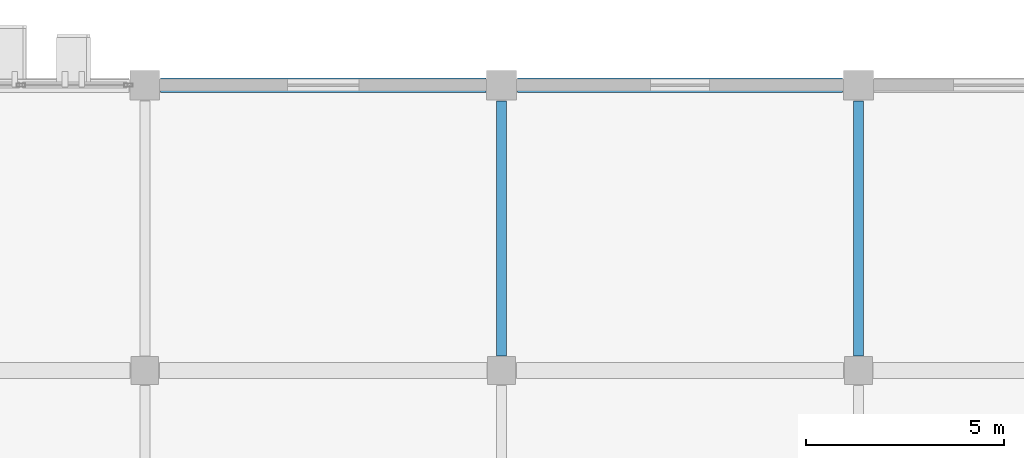
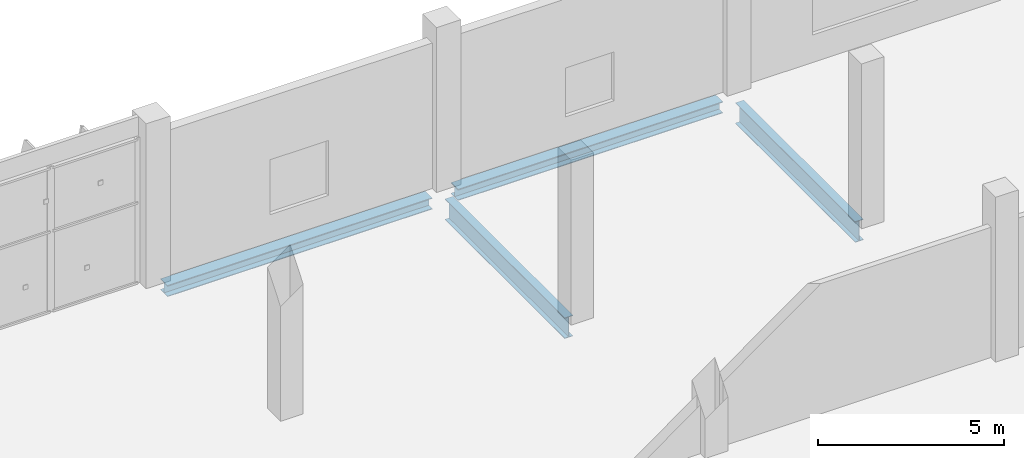
# One storey, part 60 of 189: 4 beams.
"""IFC4 building model written with IfcOpenShell, lengths in metres."""

import ifcopenshell
import ifcopenshell.guid

model = None  # the IFC model being written
_history = None  # IfcOwnerHistory: only IFC2X3 demands one
_inside = {}  # id of a spatial element -> (the spatial element, [elements in it])
_under = {}  # id of a project, library or spatial element -> (it, [spatial elements below it])
_declared = {}  # id of a project -> (the project, [libraries it declares])
_typed = {}  # id of a type object -> (the type object, [elements of that type])
_made_of = {}  # id of a material, layer set ... -> (it, [elements and type objects made of it])


def new_model(schema):
    """Start an empty IFC model of exactly this schema.

    Asked for "IFC4X3", IfcOpenShell would pick the latest addendum, in which some entities
    have other attributes; the version numbers below select the first issue.
    IFC2X3 requires an IfcOwnerHistory on every rooted entity: one is made here for all.
    """
    global model, _history
    if schema == "IFC4X3":
        model = ifcopenshell.file(schema_version=(4, 3, 0, 0))
    else:
        model = ifcopenshell.file(schema=schema)
    _inside.clear()
    _under.clear()
    _declared.clear()
    _typed.clear()
    _made_of.clear()
    _history = None
    if model.schema == "IFC2X3":
        org = make("IfcOrganization", Name="unknown")
        user = make(
            "IfcPersonAndOrganization",
            ThePerson=make("IfcPerson", FamilyName="unknown"),
            TheOrganization=org,
        )
        app = make(
            "IfcApplication",
            ApplicationDeveloper=org,
            Version="unknown",
            ApplicationFullName="unknown",
            ApplicationIdentifier="unknown",
        )
        _history = make(
            "IfcOwnerHistory",
            OwningUser=user,
            OwningApplication=app,
            ChangeAction="ADDED",
            CreationDate=0,
        )
    return model


def make(cls, **values):
    """One entity of the class cls with the attributes given. An attribute that is None is left unset."""
    return model.create_entity(
        cls, **{name: value for name, value in values.items() if value is not None}
    )


def rooted(cls, **values):
    """An entity with a GlobalId (a new one), such as an element, a storey or a relation."""
    return make(cls, GlobalId=ifcopenshell.guid.new(), OwnerHistory=_history, **values)


def si_unit(unit_type, name, prefix=None):
    """IfcSIUnit, for example si_unit("LENGTHUNIT", "METRE", prefix="MILLI")."""
    return make("IfcSIUnit", UnitType=unit_type, Prefix=prefix, Name=name)


def assignment(units):
    """IfcUnitAssignment: the units of a project."""
    return None if units is None else make("IfcUnitAssignment", Units=units)


def point(xyz):
    """IfcCartesianPoint."""
    return None if xyz is None else make("IfcCartesianPoint", Coordinates=xyz)


def direction(xyz):
    """IfcDirection."""
    return None if xyz is None else make("IfcDirection", DirectionRatios=xyz)


def frame(location, z_axis=None, x_axis=None):
    """IfcAxis2Placement3D, a coordinate frame: its origin and axes. An axis left out is left unset."""
    return make(
        "IfcAxis2Placement3D",
        Location=point(location),
        Axis=direction(z_axis),
        RefDirection=direction(x_axis),
    )


def frame_2d(location, x_axis=None):
    """IfcAxis2Placement2D, a coordinate frame in the plane: its origin and x axis."""
    return make(
        "IfcAxis2Placement2D", Location=point(location), RefDirection=direction(x_axis)
    )


def origin():
    """The frame at (0, 0, 0) with its axes left unset."""
    return frame((0.0, 0.0, 0.0))


def origin_2d():
    """The frame at (0, 0) in the plane with its x axis left unset."""
    return frame_2d((0.0, 0.0))


def place(relative_to, where):
    """IfcLocalPlacement: puts the frame where relative to a parent placement (None: the world)."""
    return make(
        "IfcLocalPlacement", PlacementRelTo=relative_to, RelativePlacement=where
    )


def context(
    kind, dimensions, precision=None, world=None, true_north=None, identifier=None
):
    """IfcGeometricRepresentationContext, for example the 3D "Model" context."""
    return make(
        "IfcGeometricRepresentationContext",
        ContextIdentifier=identifier,
        ContextType=kind,
        CoordinateSpaceDimension=dimensions,
        Precision=precision,
        WorldCoordinateSystem=world,
        TrueNorth=true_north,
    )


def subcontext(parent, identifier, kind, view, scale=None):
    """IfcGeometricRepresentationSubContext, for example "Body" below "Model"."""
    return make(
        "IfcGeometricRepresentationSubContext",
        ContextIdentifier=identifier,
        ContextType=kind,
        ParentContext=parent,
        TargetScale=scale,
        TargetView=view,
    )


def project(units=None, contexts=None):
    """IfcProject with its units and contexts."""
    return rooted(
        "IfcProject",
        Name="project",
        RepresentationContexts=contexts,
        UnitsInContext=assignment(units),
    )


def spatial(cls, under=None, at=None, **own):
    """A site, building, storey or space (cls), placed at a placement, below another one or the project."""
    s = rooted(cls, ObjectPlacement=at, **own)
    if under is not None:
        _under.setdefault(under.id(), (under, []))[1].append(s)
    return s


def profile(cls, at=None, kind="AREA", **sizes):
    """A parametric profile (cls). Its sizes go by their IFC names, for example OverallWidth=200.0."""
    return make(cls, ProfileType=kind, Position=at, **sizes)


def i_section(**sizes):
    """IfcIShapeProfileDef."""
    return profile("IfcIShapeProfileDef", **sizes)


def extrude(swept, where, along, depth):
    """IfcExtrudedAreaSolid: the profile swept, set in the frame where, extruded along a direction by depth."""
    return make(
        "IfcExtrudedAreaSolid",
        SweptArea=swept,
        Position=where,
        ExtrudedDirection=direction(along),
        Depth=depth,
    )


def shape(context_of_items, identifier, shape_type, items):
    """IfcShapeRepresentation: the items that make up one representation, for example the "Body"."""
    return make(
        "IfcShapeRepresentation",
        ContextOfItems=context_of_items,
        RepresentationIdentifier=identifier,
        RepresentationType=shape_type,
        Items=items,
    )


def material(Name=None, Category=None):
    """IfcMaterial."""
    return make("IfcMaterial", Name=Name, Category=Category)


def material_profile(
    of_material, cross_section, Name=None, Category=None, Priority=None
):
    """IfcMaterialProfile: a cross section and its material."""
    return make(
        "IfcMaterialProfile",
        Name=Name,
        Material=of_material,
        Profile=cross_section,
        Priority=Priority,
        Category=Category,
    )


def profile_set(profiles, Name=None, composite=None):
    """IfcMaterialProfileSet."""
    return make(
        "IfcMaterialProfileSet",
        Name=Name,
        MaterialProfiles=profiles,
        CompositeProfile=composite,
    )


def made_of(thing, what):
    """Note that an element or type object is made of a material, layer set ...; save() writes the relation."""
    if what is not None:
        _made_of.setdefault(what.id(), (what, []))[1].append(thing)
    return thing


def type_object(cls, material=None, **own):
    """A type object (cls), such as IfcWallType, which elements share."""
    return made_of(rooted(cls, **own), material)


def element(
    cls,
    number,
    at=None,
    inside=None,
    cuts=None,
    type_object=None,
    material=None,
    context=None,
    identifier="Body",
    shape_type=None,
    held_by="IfcProductDefinitionShape",
    body=None,
    shapes=None,
    **own,
):
    """One element of the class cls, such as IfcWall. Its Tag is "e" and its number.

    at: its placement. inside: the storey or other place that contains it. cuts: it is an
    opening in that element (IfcRelVoidsElement). A single representation is given by context,
    identifier, shape_type and body (its items); several are given by shapes. held_by: the class
    of the entity that holds the representations. save() writes the other relations.
    """
    e = rooted(cls, Tag="e%d" % number, ObjectPlacement=at, **own)
    if body is not None:
        shapes = [shape(context, identifier, shape_type, body)]
    if shapes is not None:
        e.Representation = make(held_by, Representations=shapes)
    if inside is not None:
        _inside.setdefault(inside.id(), (inside, []))[1].append(e)
    if cuts is not None:
        rooted(
            "IfcRelVoidsElement", RelatingBuildingElement=cuts, RelatedOpeningElement=e
        )
    if type_object is not None:
        _typed.setdefault(type_object.id(), (type_object, []))[1].append(e)
    return made_of(e, material)


def aggregate(whole, parts):
    """IfcRelAggregates: a whole, such as a stair, and the parts it consists of."""
    return rooted("IfcRelAggregates", RelatingObject=whole, RelatedObjects=parts)


def save(model, path):
    """Write the relations noted so far, then the file.

    IfcRelAggregates (storeys below a building ...), IfcRelContainedInSpatialStructure (elements
    in a storey), IfcRelDefinesByType, IfcRelAssociatesMaterial and IfcRelDeclares: one each for
    every whole, place, type object, material and project.
    """
    for whole, parts in _under.values():
        aggregate(whole, parts)
    for where, things in _inside.values():
        rooted(
            "IfcRelContainedInSpatialStructure",
            RelatedElements=things,
            RelatingStructure=where,
        )
    for kind, things in _typed.values():
        rooted("IfcRelDefinesByType", RelatedObjects=things, RelatingType=kind)
    for what, things in _made_of.values():
        rooted("IfcRelAssociatesMaterial", RelatedObjects=things, RelatingMaterial=what)
    for by, libraries in _declared.values():
        rooted("IfcRelDeclares", RelatingContext=by, RelatedDefinitions=libraries)
    model.write(path)


model = new_model("IFC4")

# Units and contexts
model_context = context("Model", 3, precision=1e-05, world=origin(), true_north=direction((0.0, 1.0)))
body_context = subcontext(model_context, "Body", "Model", "MODEL_VIEW")
ifc_project = project(units=[si_unit("LENGTHUNIT", "METRE"), si_unit("AREAUNIT", "SQUARE_METRE"), si_unit("VOLUMEUNIT", "CUBIC_METRE"), si_unit("PLANEANGLEUNIT", "RADIAN"), si_unit("MASSUNIT", "GRAM", prefix="KILO")], contexts=[model_context])

# Site, building, storey
site_placement = place(None, origin())
site = spatial("IfcSite", under=ifc_project, at=site_placement, CompositionType="ELEMENT")
building_placement = place(site_placement, origin())
building = spatial("IfcBuilding", under=site, at=building_placement, Name="Celestram Park Convention Centre", CompositionType="ELEMENT")
storey_placement = place(building_placement, frame((0.0, 0.0, 5.39990234375)))
storey = spatial("IfcBuildingStorey", under=building, at=storey_placement, Name="L01", CompositionType="ELEMENT", Elevation=5.39990234375)

# Beams
ifc_material = material(Name="Steel ASTM A992 Grade 50", Category="steel")
ifc_material_profile_1 = material_profile(ifc_material, i_section(OverallWidth=0.25390625, OverallDepth=0.68310546875, WebThickness=0.012451171875, FlangeThickness=0.01904296875, at=origin_2d()), Name="W27X94")
ifc_profile_set_1 = profile_set([ifc_material_profile_1], Name="Steel ASTM A992 Grade 50")
beam_type_1 = type_object("IfcBeamType", Name="STR-BM-W27X94", PredefinedType="BEAM", material=ifc_profile_set_1)
for number, where, z_axis, x_axis, name in (
    (1, (180.0, 29.173095703125, -0.621337890625), (0.0, 1.0, 0.0), (-1.0, 0.0, 0.0), "Primary Y-girder BG-L01-0443"),
    (2, (189.0, 29.173095703125, -0.621337890625), (0.0, 1.0, 0.0), (-1.0, 0.0, 0.0), "Primary Y-girder BG-L01-0469"),
):
    element("IfcBeam", number, at=place(storey_placement, frame(where, z_axis=z_axis, x_axis=x_axis)), inside=storey, type_object=beam_type_1, Name=name, PredefinedType="BEAM", context=body_context, shape_type="SweptSolid", body=[
        extrude(i_section(OverallWidth=0.25390625, OverallDepth=0.68310546875, WebThickness=0.012451171875, FlangeThickness=0.01904296875, at=origin_2d()), origin(), (0.0, 0.0, 1.0), 6.428955078125),
    ])
ifc_material_profile_2 = material_profile(ifc_material, i_section(OverallWidth=0.373046875, OverallDepth=0.373046875, WebThickness=0.016357421875, FlangeThickness=0.026123046875, at=origin_2d()), Name="W14X132")
ifc_profile_set_2 = profile_set([ifc_material_profile_2], Name="Steel ASTM A992 Grade 50")
beam_type_2 = type_object("IfcBeamType", Name="STR-SPN-W14X132", PredefinedType="SPANDREL", material=ifc_profile_set_2)
for number, where, z_axis, x_axis, name in (
    (3, (171.39794921875, 36.0, -0.46630859375), (1.0, 0.0, 0.0), (0.0, 1.0, 0.0), "Primary X-girder BG-L01-0418"),
    (4, (180.39794921875, 36.0, -0.46630859375), (1.0, 0.0, 0.0), (0.0, 1.0, 0.0), "Primary X-girder BG-L01-0444"),
):
    element("IfcBeam", number, at=place(storey_placement, frame(where, z_axis=z_axis, x_axis=x_axis)), inside=storey, type_object=beam_type_2, Name=name, PredefinedType="SPANDREL", context=body_context, shape_type="SweptSolid", body=[
        extrude(i_section(OverallWidth=0.373046875, OverallDepth=0.373046875, WebThickness=0.016357421875, FlangeThickness=0.026123046875, at=origin_2d()), origin(), (0.0, 0.0, 1.0), 8.2041015625),
    ])

save(model, "model.ifc")
